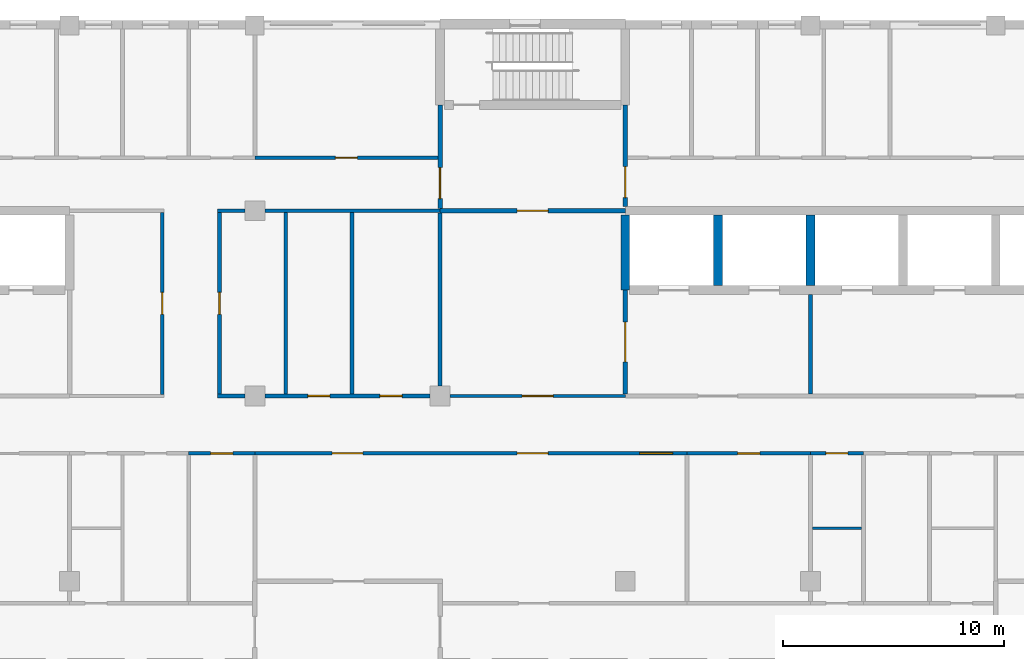
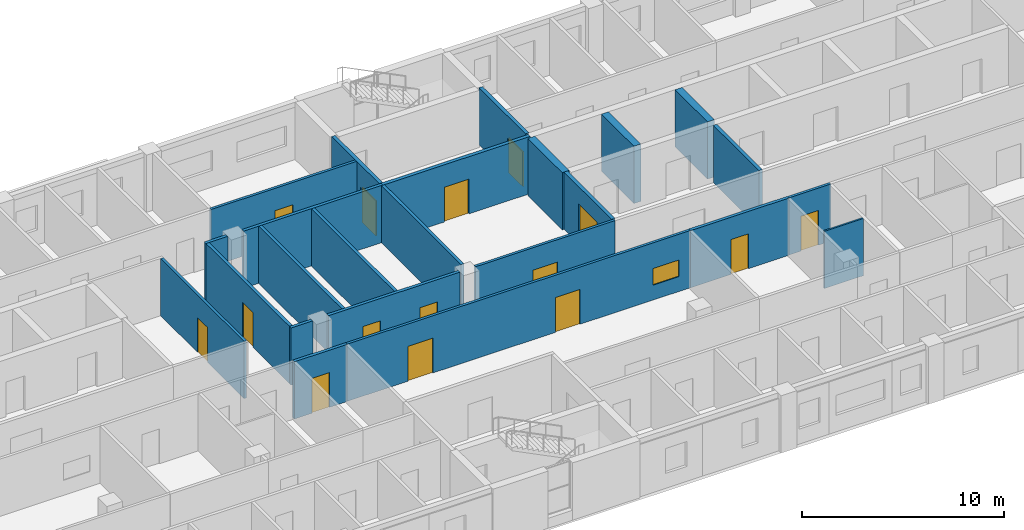
# One storey, part 62 of 94: 24 walls, 15 doors, 1 window, 16 openings.
"""IFC4 building model written with IfcOpenShell, lengths in metres."""

from ifc_helpers import new_model, si_unit, direction, frame, frame_2d, origin, place, context, subcontext, project, spatial, rectangle, extrude, material, layer, layer_set, type_object, element, fill, save


model = new_model("IFC4")

# Units and contexts
model_context = context("Model", 3, precision=1e-05, world=origin(), true_north=direction((0.0, 1.0)))
body_context = subcontext(model_context, "Body", "Model", "MODEL_VIEW")
ifc_project = project(units=[si_unit("LENGTHUNIT", "METRE"), si_unit("AREAUNIT", "SQUARE_METRE"), si_unit("VOLUMEUNIT", "CUBIC_METRE"), si_unit("PLANEANGLEUNIT", "RADIAN"), si_unit("MASSUNIT", "GRAM", prefix="KILO")], contexts=[model_context])

# Site, building, storey
site_placement = place(None, origin())
site = spatial("IfcSite", under=ifc_project, at=site_placement, CompositionType="ELEMENT")
building_placement = place(site_placement, origin())
building = spatial("IfcBuilding", under=site, at=building_placement, Name="Yavir Park General Hospital", CompositionType="ELEMENT")
storey_placement = place(building_placement, frame((0.0, 0.0, 4.5)))
storey = spatial("IfcBuildingStorey", under=building, at=storey_placement, Name="L01", CompositionType="ELEMENT", Elevation=4.5)

# Wall, opening, door
ifc_material_1 = material(Name="Double-leaf gypsum board acoustic partition on staggered studs")
ifc_layer_1 = layer(ifc_material_1, 0.175048828125)
ifc_layer_set_1 = layer_set([ifc_layer_1], Name="Double-leaf gypsum board acoustic partition on staggered studs")
wall_type_1 = type_object("IfcWallType", Name="Acoustic partition 175", PredefinedType="PARTITIONING", material=ifc_layer_set_1)
wall_1_placement = place(storey_placement, frame((97.800048828125, 14.199951171875, 0.0), z_axis=(0.0, 0.0, 1.0), x_axis=(1.0, 0.0, 0.0)))
wall_1 = element("IfcWall", 1, at=wall_1_placement, inside=storey, type_object=wall_type_1, Name="AP175 L01-055", PredefinedType="PARTITIONING", context=body_context, shape_type="SweptSolid", body=[
    extrude(rectangle(XDim=3.0, YDim=0.175048828125, at=frame_2d((1.5, 0.0))), origin(), (0.0, 0.0, 1.0), 3.449951171875),
])
opening_1_placement = place(wall_1_placement, frame((1.0, 0.0, 0.0)))
opening_1 = element("IfcOpeningElement", 2, at=opening_1_placement, cuts=wall_1, Name="Opening L01.D071", PredefinedType="OPENING", context=body_context, shape_type="SweptSolid", body=[
    extrude(rectangle(XDim=1.0, YDim=2.10009765625, at=frame_2d((0.5, 1.050048828125))), frame((0.0, 0.097412109375, 0.0), z_axis=(0.0, -1.0, 0.0), x_axis=(1.0, 0.0, 0.0)), (0.0, 0.0, 1.0), 0.195068359375),
])
ifc_material_2 = material(Name="Sealed solid-core acoustic door leaf, Rw 42 dB")
door_type_1 = type_object("IfcDoorType", Name="Acoustic door 1000 x 2100", OperationType="SINGLE_SWING_LEFT", PredefinedType="DOOR", material=ifc_material_2)
door_1_placement = place(opening_1_placement, origin())
door_1 = element("IfcDoor", 3, at=door_1_placement, inside=storey, type_object=door_type_1, Name="L01.D071", OperationType="SINGLE_SWING_LEFT", OverallHeight=2.10009765625, OverallWidth=1.0, PredefinedType="DOOR", context=body_context, shape_type="SweptSolid", body=[
    extrude(rectangle(XDim=1.0, YDim=2.10009765625, at=frame_2d((0.5, 1.050048828125))), frame((0.0, 0.03515625, 0.0), z_axis=(0.0, -1.0, 0.0), x_axis=(1.0, 0.0, 0.0)), (0.0, 0.0, 1.0), 0.070068359375),
])
fill(opening_1, door_1)

wall_2_placement = place(storey_placement, frame((120.39990234375, 14.199951171875, 0.0), z_axis=(0.0, 0.0, 1.0), x_axis=(1.0, 0.0, 0.0)))
wall_2 = element("IfcWall", 4, at=wall_2_placement, inside=storey, type_object=wall_type_1, Name="AP175 L01-057", PredefinedType="PARTITIONING", context=body_context, shape_type="SweptSolid", body=[
    extrude(rectangle(XDim=5.60009765625, YDim=0.175048828125, at=frame_2d((2.800048828125, 0.0))), origin(), (0.0, 0.0, 1.0), 3.449951171875),
])
opening_2_placement = place(wall_2_placement, frame((2.300048828125, 0.0, 0.0)))
opening_2 = element("IfcOpeningElement", 5, at=opening_2_placement, cuts=wall_2, Name="Opening L01.D074", PredefinedType="OPENING", context=body_context, shape_type="SweptSolid", body=[
    extrude(rectangle(XDim=1.0, YDim=2.10009765625, at=frame_2d((0.5, 1.050048828125))), frame((0.0, 0.097412109375, 0.0), z_axis=(0.0, -1.0, 0.0), x_axis=(1.0, 0.0, 0.0)), (0.0, 0.0, 1.0), 0.195068359375),
])
door_2_placement = place(opening_2_placement, origin())
door_2 = element("IfcDoor", 6, at=door_2_placement, inside=storey, type_object=door_type_1, Name="L01.D074", OperationType="SINGLE_SWING_LEFT", OverallHeight=2.10009765625, OverallWidth=1.0, PredefinedType="DOOR", context=body_context, shape_type="SweptSolid", body=[
    extrude(rectangle(XDim=1.0, YDim=2.10009765625, at=frame_2d((0.5, 1.050048828125))), frame((0.0, 0.03515625, 0.0), z_axis=(0.0, -1.0, 0.0), x_axis=(1.0, 0.0, 0.0)), (0.0, 0.0, 1.0), 0.070068359375),
])
fill(opening_2, door_2)

# Wall
wall_3_placement = place(storey_placement, frame((99.112548828125, 16.800048828125, 0.0), z_axis=(0.0, 0.0, 1.0), x_axis=(1.0, 0.0, 0.0)))
element("IfcWall", 7, at=wall_3_placement, inside=storey, type_object=wall_type_1, Name="AP175 L01-079", PredefinedType="PARTITIONING", context=body_context, shape_type="SweptSolid", body=[
    extrude(rectangle(XDim=1.237548828125, YDim=0.175048828125, at=frame_2d((0.61865234375, 0.0))), origin(), (0.0, 0.0, 1.0), 3.449951171875),
])

# Wall, openings, doors
wall_4_placement = place(storey_placement, frame((101.25, 16.800048828125, 0.0), z_axis=(0.0, 0.0, 1.0), x_axis=(1.0, 0.0, 0.0)))
wall_4 = element("IfcWall", 8, at=wall_4_placement, inside=storey, type_object=wall_type_1, Name="AP175 L01-080", PredefinedType="PARTITIONING", context=body_context, shape_type="SweptSolid", body=[
    extrude(rectangle(XDim=7.5, YDim=0.175048828125, at=frame_2d((3.75, 0.0))), origin(), (0.0, 0.0, 1.0), 3.449951171875),
])
opening_3_placement = place(wall_4_placement, frame((1.949951171875, 0.0, 0.0)))
opening_3 = element("IfcOpeningElement", 9, at=opening_3_placement, cuts=wall_4, Name="Opening L01.D091", PredefinedType="OPENING", context=body_context, shape_type="SweptSolid", body=[
    extrude(rectangle(XDim=1.0, YDim=2.10009765625, at=frame_2d((0.5, 1.050048828125))), frame((0.0, 0.097412109375, 0.0), z_axis=(0.0, -1.0, 0.0), x_axis=(1.0, 0.0, 0.0)), (0.0, 0.0, 1.0), 0.195068359375),
])
opening_4_placement = place(wall_4_placement, frame((5.22509765625, 0.0, 0.0)))
opening_4 = element("IfcOpeningElement", 10, at=opening_4_placement, cuts=wall_4, Name="Opening L01.D092", PredefinedType="OPENING", context=body_context, shape_type="SweptSolid", body=[
    extrude(rectangle(XDim=1.0, YDim=2.10009765625, at=frame_2d((0.5, 1.050048828125))), frame((0.0, 0.097412109375, 0.0), z_axis=(0.0, -1.0, 0.0), x_axis=(1.0, 0.0, 0.0)), (0.0, 0.0, 1.0), 0.195068359375),
])
door_3_placement = place(opening_3_placement, origin())
door_3 = element("IfcDoor", 11, at=door_3_placement, inside=storey, type_object=door_type_1, Name="L01.D091", OperationType="SINGLE_SWING_RIGHT", OverallHeight=2.10009765625, OverallWidth=1.0, PredefinedType="DOOR", context=body_context, shape_type="SweptSolid", body=[
    extrude(rectangle(XDim=1.0, YDim=2.10009765625, at=frame_2d((0.5, 1.050048828125))), frame((0.0, 0.03515625, 0.0), z_axis=(0.0, -1.0, 0.0), x_axis=(1.0, 0.0, 0.0)), (0.0, 0.0, 1.0), 0.070068359375),
])
fill(opening_3, door_3)
door_4_placement = place(opening_4_placement, origin())
door_4 = element("IfcDoor", 12, at=door_4_placement, inside=storey, type_object=door_type_1, Name="L01.D092", OperationType="SINGLE_SWING_RIGHT", OverallHeight=2.10009765625, OverallWidth=1.0, PredefinedType="DOOR", context=body_context, shape_type="SweptSolid", body=[
    extrude(rectangle(XDim=1.0, YDim=2.10009765625, at=frame_2d((0.5, 1.050048828125))), frame((0.0, 0.03515625, 0.0), z_axis=(0.0, -1.0, 0.0), x_axis=(1.0, 0.0, 0.0)), (0.0, 0.0, 1.0), 0.070068359375),
])
fill(opening_4, door_4)

# Walls
wall_5_placement = place(storey_placement, frame((99.112548828125, 25.199951171875, 0.0), z_axis=(0.0, 0.0, 1.0), x_axis=(1.0, 0.0, 0.0)))
element("IfcWall", 13, at=wall_5_placement, inside=storey, type_object=wall_type_1, Name="AP175 L01-105", PredefinedType="PARTITIONING", context=body_context, shape_type="SweptSolid", body=[
    extrude(rectangle(XDim=1.237548828125, YDim=0.175048828125, at=frame_2d((0.61865234375, 0.0))), origin(), (0.0, 0.0, 1.0), 3.449951171875),
])
wall_6_placement = place(storey_placement, frame((101.25, 25.199951171875, 0.0), z_axis=(0.0, 0.0, 1.0), x_axis=(1.0, 0.0, 0.0)))
element("IfcWall", 14, at=wall_6_placement, inside=storey, type_object=wall_type_1, Name="AP175 L01-106", PredefinedType="PARTITIONING", context=body_context, shape_type="SweptSolid", body=[
    extrude(rectangle(XDim=7.949951171875, YDim=0.175048828125, at=frame_2d((3.97509765625, 0.0))), origin(), (0.0, 0.0, 1.0), 3.449951171875),
])

# Wall, opening, door
wall_7_placement = place(storey_placement, frame((99.199951171875, 16.887451171875, 0.0), z_axis=(0.0, 0.0, 1.0), x_axis=(0.0, 1.0, 0.0)))
wall_7 = element("IfcWall", 15, at=wall_7_placement, inside=storey, type_object=wall_type_1, Name="AP175 L01-411", PredefinedType="PARTITIONING", context=body_context, shape_type="SweptSolid", body=[
    extrude(rectangle(XDim=8.22509765625, YDim=0.175048828125, at=frame_2d((4.112548828125, 0.0))), origin(), (0.0, 0.0, 1.0), 3.449951171875),
])
opening_5_placement = place(wall_7_placement, frame((3.612548828125, 0.0, 0.0)))
opening_5 = element("IfcOpeningElement", 16, at=opening_5_placement, cuts=wall_7, Name="Opening L01.D237", PredefinedType="OPENING", context=body_context, shape_type="SweptSolid", body=[
    extrude(rectangle(XDim=1.0, YDim=2.10009765625, at=frame_2d((0.5, 1.050048828125))), frame((0.0, 0.097412109375, 0.0), z_axis=(0.0, -1.0, 0.0), x_axis=(1.0, 0.0, 0.0)), (0.0, 0.0, 1.0), 0.195068359375),
])
door_5_placement = place(opening_5_placement, origin())
door_5 = element("IfcDoor", 17, at=door_5_placement, inside=storey, type_object=door_type_1, Name="L01.D237", OperationType="SINGLE_SWING_LEFT", OverallHeight=2.10009765625, OverallWidth=1.0, PredefinedType="DOOR", context=body_context, shape_type="SweptSolid", body=[
    extrude(rectangle(XDim=1.0, YDim=2.10009765625, at=frame_2d((0.5, 1.050048828125))), frame((0.0, 0.03515625, 0.0), z_axis=(0.0, -1.0, 0.0), x_axis=(1.0, 0.0, 0.0)), (0.0, 0.0, 1.0), 0.070068359375),
])
fill(opening_5, door_5)

# Walls
for number, where, z_axis, x_axis, name in (
    (18, (102.199951171875, 16.887451171875, 0.0), (0.0, 0.0, 1.0), (0.0, 1.0, 0.0), "AP175 L01-416"),
    (19, (105.199951171875, 16.887451171875, 0.0), (0.0, 0.0, 1.0), (0.0, 1.0, 0.0), "AP175 L01-417"),
):
    element("IfcWall", number, at=place(storey_placement, frame(where, z_axis=z_axis, x_axis=x_axis)), inside=storey, type_object=wall_type_1, Name=name, PredefinedType="PARTITIONING", context=body_context, shape_type="SweptSolid", body=[
        extrude(rectangle(XDim=8.22509765625, YDim=0.175048828125, at=frame_2d((4.112548828125, 0.0))), origin(), (0.0, 0.0, 1.0), 3.449951171875),
    ])
wall_8_placement = place(storey_placement, frame((109.199951171875, 17.25, 0.0), z_axis=(0.0, 0.0, 1.0), x_axis=(0.0, 1.0, 0.0)))
element("IfcWall", 20, at=wall_8_placement, inside=storey, type_object=wall_type_1, Name="AP175 L01-420", PredefinedType="PARTITIONING", context=body_context, shape_type="SweptSolid", body=[
    extrude(rectangle(XDim=7.85009765625, YDim=0.175048828125, at=frame_2d((3.925048828125, 0.0))), origin(), (0.0, 0.0, 1.0), 3.449951171875),
])

# Wall, opening, door
ifc_material_3 = material(Name="Double gypsum board fire partition on steel studs", Category="steel")
ifc_layer_2 = layer(ifc_material_3, 0.199951171875)
ifc_layer_set_2 = layer_set([ifc_layer_2], Name="Double gypsum board fire partition on steel studs")
wall_type_2 = type_object("IfcWallType", Name="Fire-rated partition 200, EI 60", PredefinedType="PARTITIONING", material=ifc_layer_set_2)
wall_9_placement = place(storey_placement, frame((109.199951171875, 25.199951171875, 0.0), z_axis=(0.0, 0.0, 1.0), x_axis=(1.0, 0.0, 0.0)))
wall_9 = element("IfcWall", 21, at=wall_9_placement, inside=storey, type_object=wall_type_2, Name="FP20 L01-107", PredefinedType="PARTITIONING", context=body_context, shape_type="SweptSolid", body=[
    extrude(rectangle(XDim=8.400146484375, YDim=0.199951171875, at=frame_2d((4.2001953125, 0.0))), origin(), (0.0, 0.0, 1.0), 3.449951171875),
])
opening_6_placement = place(wall_9_placement, frame((3.5, 0.0, 0.0)))
opening_6 = element("IfcOpeningElement", 22, at=opening_6_placement, cuts=wall_9, Name="Opening L01.D113", PredefinedType="OPENING", context=body_context, shape_type="SweptSolid", body=[
    extrude(rectangle(XDim=1.39990234375, YDim=2.10009765625, at=frame_2d((0.699951171875, 1.050048828125))), frame((0.0, 0.10986328125, 0.0), z_axis=(0.0, -1.0, 0.0), x_axis=(1.0, 0.0, 0.0)), (0.0, 0.0, 1.0), 0.219970703125),
])
ifc_material_4 = material(Name="Steel frame, fire-resisting timber leaves", Category="steel")
door_type_2 = type_object("IfcDoorType", Name="Double fire door 1400 x 2100, EI 60", OperationType="DOUBLE_DOOR_SINGLE_SWING", PredefinedType="DOOR", material=ifc_material_4)
door_6_placement = place(opening_6_placement, origin())
door_6 = element("IfcDoor", 23, at=door_6_placement, inside=storey, type_object=door_type_2, Name="L01.D113", OperationType="SINGLE_SWING_RIGHT", OverallHeight=2.10009765625, OverallWidth=1.39990234375, PredefinedType="DOOR", context=body_context, shape_type="SweptSolid", body=[
    extrude(rectangle(XDim=1.39990234375, YDim=2.10009765625, at=frame_2d((0.699951171875, 1.050048828125))), frame((0.0, 0.02490234375, 0.0), z_axis=(0.0, -1.0, 0.0), x_axis=(1.0, 0.0, 0.0)), (0.0, 0.0, 1.0), 0.050048828125),
])
fill(opening_6, door_6)

wall_10_placement = place(storey_placement, frame((109.199951171875, 25.300048828125, 0.0), z_axis=(0.0, 0.0, 1.0), x_axis=(0.0, 1.0, 0.0)))
wall_10 = element("IfcWall", 24, at=wall_10_placement, inside=storey, type_object=wall_type_2, Name="FP20 L01-421", PredefinedType="PARTITIONING", context=body_context, shape_type="SweptSolid", body=[
    extrude(rectangle(XDim=4.699951171875, YDim=0.199951171875, at=frame_2d((2.35009765625, 0.0))), origin(), (0.0, 0.0, 1.0), 3.449951171875),
])
opening_7_placement = place(wall_10_placement, frame((0.449951171875, 0.0, 0.0)))
opening_7 = element("IfcOpeningElement", 25, at=opening_7_placement, cuts=wall_10, Name="Opening L01.D240", PredefinedType="OPENING", context=body_context, shape_type="SweptSolid", body=[
    extrude(rectangle(XDim=1.39990234375, YDim=2.10009765625, at=frame_2d((0.699951171875, 1.050048828125))), frame((0.0, 0.10986328125, 0.0), z_axis=(0.0, -1.0, 0.0), x_axis=(1.0, 0.0, 0.0)), (0.0, 0.0, 1.0), 0.219970703125),
])
ifc_material_5 = material(Name="Steel frame, fire-resisting leaves with vision panels", Category="steel")
door_type_3 = type_object("IfcDoorType", Name="Double fire door with vision panels 1400 x 2100, EI 60", OperationType="DOUBLE_DOOR_SINGLE_SWING", PredefinedType="DOOR", material=ifc_material_5)
door_7_placement = place(opening_7_placement, origin())
door_7 = element("IfcDoor", 26, at=door_7_placement, inside=storey, type_object=door_type_3, Name="L01.D240", OperationType="SINGLE_SWING_LEFT", OverallHeight=2.10009765625, OverallWidth=1.39990234375, PredefinedType="DOOR", context=body_context, shape_type="SweptSolid", body=[
    extrude(rectangle(XDim=1.39990234375, YDim=2.10009765625, at=frame_2d((0.699951171875, 1.050048828125))), frame((0.0, 0.030029296875, 0.0), z_axis=(0.0, -1.0, 0.0), x_axis=(1.0, 0.0, 0.0)), (0.0, 0.0, 1.0), 0.06005859375),
])
fill(opening_7, door_7)

wall_11_placement = place(storey_placement, frame((117.60009765625, 16.89990234375, 0.0), z_axis=(0.0, 0.0, 1.0), x_axis=(0.0, 1.0, 0.0)))
wall_11 = element("IfcWall", 27, at=wall_11_placement, inside=storey, type_object=wall_type_2, Name="FP20 L01-425", PredefinedType="PARTITIONING", context=body_context, shape_type="SweptSolid", body=[
    extrude(rectangle(XDim=4.7001953125, YDim=0.199951171875, at=frame_2d((2.35009765625, 0.0))), origin(), (0.0, 0.0, 1.0), 3.449951171875),
])
opening_8_placement = place(wall_11_placement, frame((1.449951171875, 0.0, 0.0)))
opening_8 = element("IfcOpeningElement", 28, at=opening_8_placement, cuts=wall_11, Name="Opening L01.D241", PredefinedType="OPENING", context=body_context, shape_type="SweptSolid", body=[
    extrude(rectangle(XDim=1.800048828125, YDim=2.39990234375, at=frame_2d((0.89990234375, 1.199951171875))), frame((0.0, 0.10986328125, 0.0), z_axis=(0.0, -1.0, 0.0), x_axis=(1.0, 0.0, 0.0)), (0.0, 0.0, 1.0), 0.219970703125),
])
ifc_material_6 = material(Name="Steel frame, fire-resisting timber leaves", Category="steel")
door_type_4 = type_object("IfcDoorType", Name="Double fire door 1800 x 2400, EI 60", OperationType="DOUBLE_DOOR_SINGLE_SWING", PredefinedType="DOOR", material=ifc_material_6)
door_8_placement = place(opening_8_placement, origin())
door_8 = element("IfcDoor", 29, at=door_8_placement, inside=storey, type_object=door_type_4, Name="L01.D241", OperationType="SINGLE_SWING_LEFT", OverallHeight=2.39990234375, OverallWidth=1.800048828125, PredefinedType="DOOR", context=body_context, shape_type="SweptSolid", body=[
    extrude(rectangle(XDim=1.800048828125, YDim=2.39990234375, at=frame_2d((0.89990234375, 1.199951171875))), frame((0.0, 0.02490234375, 0.0), z_axis=(0.0, -1.0, 0.0), x_axis=(1.0, 0.0, 0.0)), (0.0, 0.0, 1.0), 0.050048828125),
])
fill(opening_8, door_8)

wall_12_placement = place(storey_placement, frame((117.60009765625, 25.39990234375, 0.0), z_axis=(0.0, 0.0, 1.0), x_axis=(0.0, 1.0, 0.0)))
wall_12 = element("IfcWall", 30, at=wall_12_placement, inside=storey, type_object=wall_type_2, Name="FP20 L01-427", PredefinedType="PARTITIONING", context=body_context, shape_type="SweptSolid", body=[
    extrude(rectangle(XDim=4.60009765625, YDim=0.199951171875, at=frame_2d((2.300048828125, 0.0))), origin(), (0.0, 0.0, 1.0), 3.449951171875),
])
opening_9_placement = place(wall_12_placement, frame((0.39990234375, 0.0, 0.0)))
opening_9 = element("IfcOpeningElement", 31, at=opening_9_placement, cuts=wall_12, Name="Opening L01.D242", PredefinedType="OPENING", context=body_context, shape_type="SweptSolid", body=[
    extrude(rectangle(XDim=1.39990234375, YDim=2.10009765625, at=frame_2d((0.699951171875, 1.050048828125))), frame((0.0, 0.10986328125, 0.0), z_axis=(0.0, -1.0, 0.0), x_axis=(1.0, 0.0, 0.0)), (0.0, 0.0, 1.0), 0.219970703125),
])
door_9_placement = place(opening_9_placement, origin())
door_9 = element("IfcDoor", 32, at=door_9_placement, inside=storey, type_object=door_type_3, Name="L01.D242", OperationType="SINGLE_SWING_RIGHT", OverallHeight=2.10009765625, OverallWidth=1.39990234375, PredefinedType="DOOR", context=body_context, shape_type="SweptSolid", body=[
    extrude(rectangle(XDim=1.39990234375, YDim=2.10009765625, at=frame_2d((0.699951171875, 1.050048828125))), frame((0.0, 0.030029296875, 0.0), z_axis=(0.0, -1.0, 0.0), x_axis=(1.0, 0.0, 0.0)), (0.0, 0.0, 1.0), 0.06005859375),
])
fill(opening_9, door_9)

# Walls
wall_13_placement = place(storey_placement, frame((126.0, 16.89990234375, 0.0), z_axis=(0.0, 0.0, 1.0), x_axis=(0.0, 1.0, 0.0)))
element("IfcWall", 33, at=wall_13_placement, inside=storey, type_object=wall_type_2, Name="FP20 L01-437", PredefinedType="PARTITIONING", context=body_context, shape_type="SweptSolid", body=[
    extrude(rectangle(XDim=4.5, YDim=0.199951171875, at=frame_2d((2.25, 0.0))), origin(), (0.0, 0.0, 1.0), 3.449951171875),
])
ifc_material_7 = material(Name="Gypsum board partition on steel studs", Category="steel")
ifc_layer_3 = layer(ifc_material_7, 0.10009765625)
ifc_layer_set_3 = layer_set([ifc_layer_3], Name="Gypsum board partition on steel studs")
wall_type_3 = type_object("IfcWallType", Name="Gypsum board partition 100", PredefinedType="PARTITIONING", material=ifc_layer_set_3)
wall_14_placement = place(storey_placement, frame((126.08740234375, 10.800048828125, 0.0), z_axis=(0.0, 0.0, 1.0), x_axis=(1.0, 0.0, 0.0)))
element("IfcWall", 34, at=wall_14_placement, inside=storey, type_object=wall_type_3, Name="P10 L01-043", PredefinedType="PARTITIONING", context=body_context, shape_type="SweptSolid", body=[
    extrude(rectangle(XDim=2.22509765625, YDim=0.10009765625, at=frame_2d((1.112548828125, 0.0))), origin(), (0.0, 0.0, 1.0), 3.449951171875),
])

# Wall, openings, doors, window
ifc_material_8 = material(Name="Gypsum board partition on steel studs", Category="steel")
ifc_layer_4 = layer(ifc_material_8, 0.14990234375)
ifc_layer_set_4 = layer_set([ifc_layer_4], Name="Gypsum board partition on steel studs")
wall_type_4 = type_object("IfcWallType", Name="Gypsum board partition 150", PredefinedType="PARTITIONING", material=ifc_layer_set_4)
wall_15_placement = place(storey_placement, frame((100.800048828125, 14.199951171875, 0.0), z_axis=(0.0, 0.0, 1.0), x_axis=(1.0, 0.0, 0.0)))
wall_15 = element("IfcWall", 35, at=wall_15_placement, inside=storey, type_object=wall_type_4, Name="P15 L01-056", PredefinedType="PARTITIONING", context=body_context, shape_type="SweptSolid", body=[
    extrude(rectangle(XDim=19.599853515625, YDim=0.14990234375, at=frame_2d((9.7998046875, 0.0))), origin(), (0.0, 0.0, 1.0), 3.449951171875),
])
opening_10_placement = place(wall_15_placement, frame((3.5, 0.0, 0.0)))
opening_10 = element("IfcOpeningElement", 36, at=opening_10_placement, cuts=wall_15, Name="Opening L01.D072", PredefinedType="OPENING", context=body_context, shape_type="SweptSolid", body=[
    extrude(rectangle(XDim=1.39990234375, YDim=2.10009765625, at=frame_2d((0.699951171875, 1.050048828125))), frame((0.0, 0.0849609375, 0.0), z_axis=(0.0, -1.0, 0.0), x_axis=(1.0, 0.0, 0.0)), (0.0, 0.0, 1.0), 0.169921875),
])
opening_11_placement = place(wall_15_placement, frame((11.89990234375, 0.0, 0.0)))
opening_11 = element("IfcOpeningElement", 37, at=opening_11_placement, cuts=wall_15, Name="Opening L01.D073", PredefinedType="OPENING", context=body_context, shape_type="SweptSolid", body=[
    extrude(rectangle(XDim=1.39990234375, YDim=2.10009765625, at=frame_2d((0.699951171875, 1.050048828125))), frame((0.0, 0.0849609375, 0.0), z_axis=(0.0, -1.0, 0.0), x_axis=(1.0, 0.0, 0.0)), (0.0, 0.0, 1.0), 0.169921875),
])
opening_12_placement = place(wall_15_placement, frame((17.449951171875, 0.0, 0.89990234375)))
opening_12 = element("IfcOpeningElement", 38, at=opening_12_placement, cuts=wall_15, Name="Opening L01.905", PredefinedType="OPENING", context=body_context, shape_type="SweptSolid", body=[
    extrude(rectangle(XDim=1.5, YDim=1.0, at=frame_2d((0.75, 0.5))), frame((0.0, 0.0849609375, 0.0), z_axis=(0.0, -1.0, 0.0), x_axis=(1.0, 0.0, 0.0)), (0.0, 0.0, 1.0), 0.169921875),
])
ifc_material_9 = material(Name="Hollow metal frame, solid-core timber leaf", Category="wood")
door_type_5 = type_object("IfcDoorType", Name="Double swing door 1400 x 2100", OperationType="DOUBLE_DOOR_SINGLE_SWING", PredefinedType="DOOR", material=ifc_material_9)
door_10_placement = place(opening_10_placement, origin())
door_10 = element("IfcDoor", 39, at=door_10_placement, inside=storey, type_object=door_type_5, Name="L01.D072", OperationType="SINGLE_SWING_LEFT", OverallHeight=2.10009765625, OverallWidth=1.39990234375, PredefinedType="DOOR", context=body_context, shape_type="SweptSolid", body=[
    extrude(rectangle(XDim=1.39990234375, YDim=2.10009765625, at=frame_2d((0.699951171875, 1.050048828125))), frame((0.0, 0.02490234375, 0.0), z_axis=(0.0, -1.0, 0.0), x_axis=(1.0, 0.0, 0.0)), (0.0, 0.0, 1.0), 0.050048828125),
])
fill(opening_10, door_10)
door_11_placement = place(opening_11_placement, origin())
door_11 = element("IfcDoor", 40, at=door_11_placement, inside=storey, type_object=door_type_5, Name="L01.D073", OperationType="SINGLE_SWING_LEFT", OverallHeight=2.10009765625, OverallWidth=1.39990234375, PredefinedType="DOOR", context=body_context, shape_type="SweptSolid", body=[
    extrude(rectangle(XDim=1.39990234375, YDim=2.10009765625, at=frame_2d((0.699951171875, 1.050048828125))), frame((0.0, 0.02490234375, 0.0), z_axis=(0.0, -1.0, 0.0), x_axis=(1.0, 0.0, 0.0)), (0.0, 0.0, 1.0), 0.050048828125),
])
fill(opening_11, door_11)
ifc_material_10 = material(Name="Toughened glass sliding panels, aluminium frame", Category="aluminium")
window_type = type_object("IfcWindowType", Name="Reception counter window 1500 x 1000", PartitioningType="DOUBLE_PANEL_HORIZONTAL", PredefinedType="WINDOW", material=ifc_material_10)
window_placement = place(opening_12_placement, origin())
window = element("IfcWindow", 41, at=window_placement, inside=storey, type_object=window_type, Name="L01.905", OverallHeight=1.0, OverallWidth=1.5, PartitioningType="DOUBLE_PANEL_HORIZONTAL", PredefinedType="WINDOW", context=body_context, shape_type="SweptSolid", body=[
    extrude(rectangle(XDim=1.5, YDim=1.0, at=frame_2d((0.75, 0.5))), frame((0.0, 0.02490234375, 0.0), z_axis=(0.0, -1.0, 0.0), x_axis=(1.0, 0.0, 0.0)), (0.0, 0.0, 1.0), 0.050048828125),
])
fill(opening_12, window)

# Wall, opening, door
wall_16_placement = place(storey_placement, frame((126.0, 14.199951171875, 0.0), z_axis=(0.0, 0.0, 1.0), x_axis=(1.0, 0.0, 0.0)))
wall_16 = element("IfcWall", 42, at=wall_16_placement, inside=storey, type_object=wall_type_4, Name="P15 L01-058", PredefinedType="PARTITIONING", context=body_context, shape_type="SweptSolid", body=[
    extrude(rectangle(XDim=2.39990234375, YDim=0.14990234375, at=frame_2d((1.199951171875, 0.0))), origin(), (0.0, 0.0, 1.0), 3.449951171875),
])
opening_13_placement = place(wall_16_placement, frame((0.699951171875, 0.0, 0.0)))
opening_13 = element("IfcOpeningElement", 43, at=opening_13_placement, cuts=wall_16, Name="Opening L01.D075", PredefinedType="OPENING", context=body_context, shape_type="SweptSolid", body=[
    extrude(rectangle(XDim=1.0, YDim=2.10009765625, at=frame_2d((0.5, 1.050048828125))), frame((0.0, 0.0849609375, 0.0), z_axis=(0.0, -1.0, 0.0), x_axis=(1.0, 0.0, 0.0)), (0.0, 0.0, 1.0), 0.169921875),
])
ifc_material_11 = material(Name="Hollow metal frame, solid-core timber leaf", Category="wood")
door_type_6 = type_object("IfcDoorType", Name="Single swing door 1000 x 2100", OperationType="SINGLE_SWING_LEFT", PredefinedType="DOOR", material=ifc_material_11)
door_12_placement = place(opening_13_placement, origin())
door_12 = element("IfcDoor", 44, at=door_12_placement, inside=storey, type_object=door_type_6, Name="L01.D075", OperationType="SINGLE_SWING_LEFT", OverallHeight=2.10009765625, OverallWidth=1.0, PredefinedType="DOOR", context=body_context, shape_type="SweptSolid", body=[
    extrude(rectangle(XDim=1.0, YDim=2.10009765625, at=frame_2d((0.5, 1.050048828125))), frame((0.0, 0.02490234375, 0.0), z_axis=(0.0, -1.0, 0.0), x_axis=(1.0, 0.0, 0.0)), (0.0, 0.0, 1.0), 0.050048828125),
])
fill(opening_13, door_12)

wall_17_placement = place(storey_placement, frame((109.64990234375, 16.800048828125, 0.0), z_axis=(0.0, 0.0, 1.0), x_axis=(1.0, 0.0, 0.0)))
wall_17 = element("IfcWall", 45, at=wall_17_placement, inside=storey, type_object=wall_type_4, Name="P15 L01-081", PredefinedType="PARTITIONING", context=body_context, shape_type="SweptSolid", body=[
    extrude(rectangle(XDim=7.9501953125, YDim=0.14990234375, at=frame_2d((3.97509765625, 0.0))), origin(), (0.0, 0.0, 1.0), 3.449951171875),
])
opening_14_placement = place(wall_17_placement, frame((3.27490234375, 0.0, 0.0)))
opening_14 = element("IfcOpeningElement", 46, at=opening_14_placement, cuts=wall_17, Name="Opening L01.D093", PredefinedType="OPENING", context=body_context, shape_type="SweptSolid", body=[
    extrude(rectangle(XDim=1.39990234375, YDim=2.10009765625, at=frame_2d((0.699951171875, 1.050048828125))), frame((0.0, 0.0849609375, 0.0), z_axis=(0.0, -1.0, 0.0), x_axis=(1.0, 0.0, 0.0)), (0.0, 0.0, 1.0), 0.169921875),
])
door_13_placement = place(opening_14_placement, origin())
door_13 = element("IfcDoor", 47, at=door_13_placement, inside=storey, type_object=door_type_5, Name="L01.D093", OperationType="SINGLE_SWING_RIGHT", OverallHeight=2.10009765625, OverallWidth=1.39990234375, PredefinedType="DOOR", context=body_context, shape_type="SweptSolid", body=[
    extrude(rectangle(XDim=1.39990234375, YDim=2.10009765625, at=frame_2d((0.699951171875, 1.050048828125))), frame((0.0, 0.02490234375, 0.0), z_axis=(0.0, -1.0, 0.0), x_axis=(1.0, 0.0, 0.0)), (0.0, 0.0, 1.0), 0.050048828125),
])
fill(opening_14, door_13)

wall_18_placement = place(storey_placement, frame((100.800048828125, 27.60009765625, 0.0), z_axis=(0.0, 0.0, 1.0), x_axis=(1.0, 0.0, 0.0)))
wall_18 = element("IfcWall", 48, at=wall_18_placement, inside=storey, type_object=wall_type_4, Name="P15 L01-117", PredefinedType="PARTITIONING", context=body_context, shape_type="SweptSolid", body=[
    extrude(rectangle(XDim=8.300048828125, YDim=0.14990234375, at=frame_2d((4.14990234375, 0.0))), origin(), (0.0, 0.0, 1.0), 3.449951171875),
])
opening_15_placement = place(wall_18_placement, frame((3.64990234375, 0.0, 0.0)))
opening_15 = element("IfcOpeningElement", 49, at=opening_15_placement, cuts=wall_18, Name="Opening L01.D132", PredefinedType="OPENING", context=body_context, shape_type="SweptSolid", body=[
    extrude(rectangle(XDim=1.0, YDim=2.10009765625, at=frame_2d((0.5, 1.050048828125))), frame((0.0, 0.0849609375, 0.0), z_axis=(0.0, -1.0, 0.0), x_axis=(1.0, 0.0, 0.0)), (0.0, 0.0, 1.0), 0.169921875),
])
door_14_placement = place(opening_15_placement, origin())
door_14 = element("IfcDoor", 50, at=door_14_placement, inside=storey, type_object=door_type_6, Name="L01.D132", OperationType="SINGLE_SWING_RIGHT", OverallHeight=2.10009765625, OverallWidth=1.0, PredefinedType="DOOR", context=body_context, shape_type="SweptSolid", body=[
    extrude(rectangle(XDim=1.0, YDim=2.10009765625, at=frame_2d((0.5, 1.050048828125))), frame((0.0, 0.02490234375, 0.0), z_axis=(0.0, -1.0, 0.0), x_axis=(1.0, 0.0, 0.0)), (0.0, 0.0, 1.0), 0.050048828125),
])
fill(opening_15, door_14)

wall_19_placement = place(storey_placement, frame((96.60009765625, 16.875, 0.0), z_axis=(0.0, 0.0, 1.0), x_axis=(0.0, 1.0, 0.0)))
wall_19 = element("IfcWall", 51, at=wall_19_placement, inside=storey, type_object=wall_type_4, Name="P15 L01-407", PredefinedType="PARTITIONING", context=body_context, shape_type="SweptSolid", body=[
    extrude(rectangle(XDim=8.25, YDim=0.14990234375, at=frame_2d((4.125, 0.0))), origin(), (0.0, 0.0, 1.0), 3.449951171875),
])
opening_16_placement = place(wall_19_placement, frame((3.625, 0.0, 0.0)))
opening_16 = element("IfcOpeningElement", 52, at=opening_16_placement, cuts=wall_19, Name="Opening L01.D236", PredefinedType="OPENING", context=body_context, shape_type="SweptSolid", body=[
    extrude(rectangle(XDim=1.0, YDim=2.10009765625, at=frame_2d((0.5, 1.050048828125))), frame((0.0, 0.0849609375, 0.0), z_axis=(0.0, -1.0, 0.0), x_axis=(1.0, 0.0, 0.0)), (0.0, 0.0, 1.0), 0.169921875),
])
door_15_placement = place(opening_16_placement, origin())
door_15 = element("IfcDoor", 53, at=door_15_placement, inside=storey, type_object=door_type_6, Name="L01.D236", OperationType="SINGLE_SWING_RIGHT", OverallHeight=2.10009765625, OverallWidth=1.0, PredefinedType="DOOR", context=body_context, shape_type="SweptSolid", body=[
    extrude(rectangle(XDim=1.0, YDim=2.10009765625, at=frame_2d((0.5, 1.050048828125))), frame((0.0, 0.02490234375, 0.0), z_axis=(0.0, -1.0, 0.0), x_axis=(1.0, 0.0, 0.0)), (0.0, 0.0, 1.0), 0.050048828125),
])
fill(opening_16, door_15)

# Walls
ifc_material_12 = material(Name="Concrete C35/45", Category="concrete")
ifc_layer_5 = layer(ifc_material_12, 0.39990234375)
ifc_layer_set_5 = layer_set([ifc_layer_5], Name="Concrete C35/45")
wall_type_5 = type_object("IfcWallType", Name="Reinforced concrete core wall 400, REI 150", PredefinedType="SHEAR", material=ifc_layer_set_5)
wall_20_placement = place(storey_placement, frame((117.60009765625, 21.60009765625, 0.0), z_axis=(0.0, 0.0, 1.0), x_axis=(0.0, 1.0, 0.0)))
element("IfcWall", 54, at=wall_20_placement, inside=storey, type_object=wall_type_5, Name="CW40 L01-426", PredefinedType="SHEAR", context=body_context, shape_type="SweptSolid", body=[
    extrude(rectangle(XDim=3.39990234375, YDim=0.39990234375, at=frame_2d((1.699951171875, 0.0))), origin(), (0.0, 0.0, 1.0), 3.449951171875),
])
for number, where, z_axis, x_axis, name in (
    (55, (121.800048828125, 21.800048828125, 0.0), (0.0, 0.0, 1.0), (0.0, 1.0, 0.0), "CW40 L01-432"),
    (56, (126.0, 21.800048828125, 0.0), (0.0, 0.0, 1.0), (0.0, 1.0, 0.0), "CW40 L01-438"),
):
    element("IfcWall", number, at=place(storey_placement, frame(where, z_axis=z_axis, x_axis=x_axis)), inside=storey, type_object=wall_type_5, Name=name, PredefinedType="SHEAR", context=body_context, shape_type="SweptSolid", body=[
        extrude(rectangle(XDim=3.199951171875, YDim=0.39990234375, at=frame_2d((1.60009765625, 0.0))), origin(), (0.0, 0.0, 1.0), 3.449951171875),
    ])

save(model, "model.ifc")
